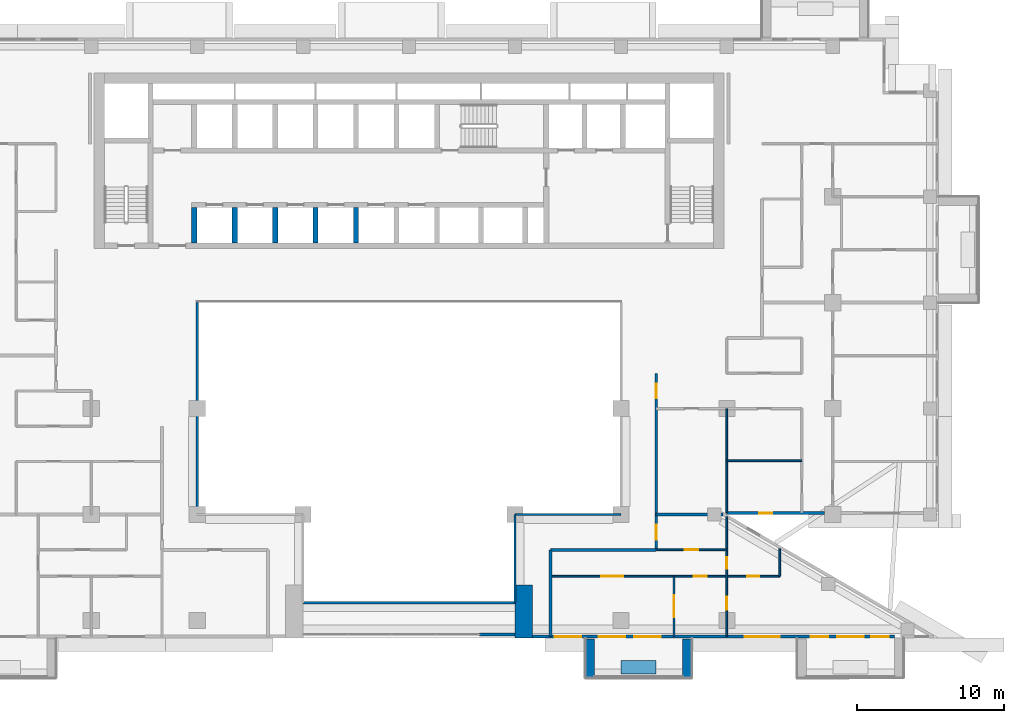
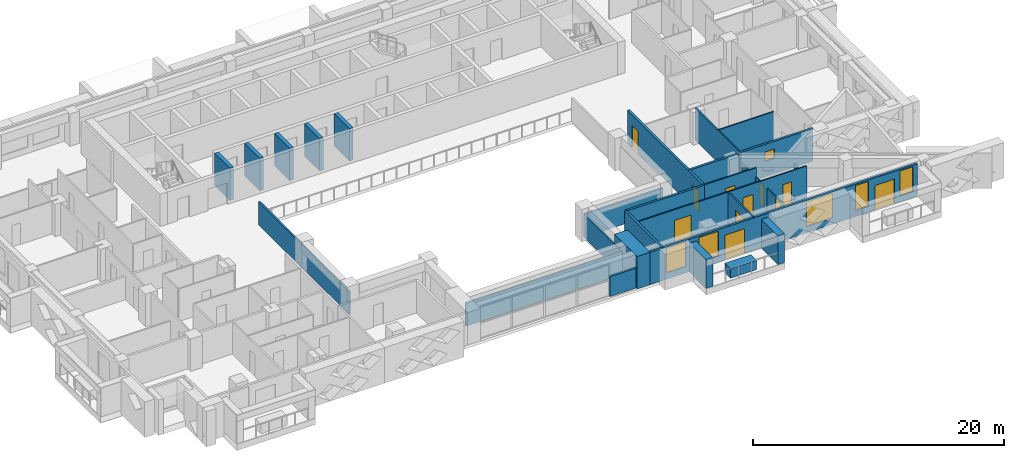
# One storey, part 8 of 19: 27 walls, 11 doors, 6 windows, 17 openings.
"""IFC4 building model written with IfcOpenShell, lengths in metres."""

from ifc_helpers import new_model, si_unit, direction, frame, frame_2d, origin, place, context, subcontext, project, spatial, rectangle, extrude, material, layer, layer_set, type_object, element, fill, save


model = new_model("IFC4")

# Units and contexts
model_context = context("Model", 3, precision=1e-05, world=origin(), true_north=direction((0.0, 1.0)))
body_context = subcontext(model_context, "Body", "Model", "MODEL_VIEW")
ifc_project = project(units=[si_unit("LENGTHUNIT", "METRE"), si_unit("AREAUNIT", "SQUARE_METRE"), si_unit("VOLUMEUNIT", "CUBIC_METRE"), si_unit("PLANEANGLEUNIT", "RADIAN"), si_unit("MASSUNIT", "GRAM", prefix="KILO")], contexts=[model_context])

# Site, building, storey
site_placement = place(None, origin())
site = spatial("IfcSite", under=ifc_project, at=site_placement, CompositionType="ELEMENT")
building_placement = place(site_placement, origin())
building = spatial("IfcBuilding", under=site, at=building_placement, Name="Saffron Iwan Residences", CompositionType="ELEMENT")
storey_placement = place(building_placement, frame((0.0, 0.0, 134.0)))
storey = spatial("IfcBuildingStorey", under=building, at=storey_placement, Name="L35", CompositionType="ELEMENT", Elevation=134.0)

# Walls
ifc_material_1 = material(Name="Fire-rated glazing", Category="glass")
ifc_layer_1 = layer(ifc_material_1, 0.14990234375)
ifc_layer_set_1 = layer_set([ifc_layer_1], Name="Fire-rated glazing")
wall_type_1 = type_object("IfcWallType", Name="Atrium glazed screen 150", PredefinedType="SOLIDWALL", material=ifc_layer_set_1)
wall_1_placement = place(storey_placement, frame((43.199951171875, 42.0, 0.0), z_axis=(0.0, 0.0, 1.0), x_axis=(1.0, 0.0, 0.0)))
element("IfcWall", 1, at=wall_1_placement, inside=storey, type_object=wall_type_1, Name="W-L35-SCREEN-h42-43.2", PredefinedType="SOLIDWALL", context=body_context, shape_type="SweptSolid", body=[
    extrude(rectangle(XDim=14.400146484375, YDim=0.14990234375, at=frame_2d((7.2001953125, 0.0))), origin(), (0.0, 0.0, 1.0), 2.25),
])
wall_2_placement = place(storey_placement, frame((57.60009765625, 48.0, 0.0), z_axis=(0.0, 0.0, 1.0), x_axis=(1.0, 0.0, 0.0)))
element("IfcWall", 2, at=wall_2_placement, inside=storey, type_object=wall_type_1, Name="W-L35-SCREEN-h48-57.6", PredefinedType="SOLIDWALL", context=body_context, shape_type="SweptSolid", body=[
    extrude(rectangle(XDim=7.199951171875, YDim=0.14990234375, at=frame_2d((3.60009765625, 0.0))), origin(), (0.0, 0.0, 1.0), 2.25),
])
wall_3_placement = place(storey_placement, frame((36.0, 48.0, 0.0), z_axis=(0.0, 0.0, 1.0), x_axis=(0.0, 1.0, 0.0)))
element("IfcWall", 3, at=wall_3_placement, inside=storey, type_object=wall_type_1, Name="W-L35-SCREEN-v36-48", PredefinedType="SOLIDWALL", context=body_context, shape_type="SweptSolid", body=[
    extrude(rectangle(XDim=14.39990234375, YDim=0.14990234375, at=frame_2d((7.199951171875, 0.0))), origin(), (0.0, 0.0, 1.0), 2.25),
])
wall_4_placement = place(storey_placement, frame((57.60009765625, 42.0, 0.0), z_axis=(0.0, 0.0, 1.0), x_axis=(0.0, 1.0, 0.0)))
element("IfcWall", 4, at=wall_4_placement, inside=storey, type_object=wall_type_1, Name="W-L35-SCREEN-v57.6-42", PredefinedType="SOLIDWALL", context=body_context, shape_type="SweptSolid", body=[
    extrude(rectangle(XDim=6.0, YDim=0.14990234375, at=frame_2d((3.0, 0.0))), origin(), (0.0, 0.0, 1.0), 2.25),
])
ifc_material_2 = material(Name="Concrete C50/60 white painted", Category="concrete")
ifc_layer_2 = layer(ifc_material_2, 0.60009765625)
ifc_layer_set_2 = layer_set([ifc_layer_2], Name="Concrete C50/60 white painted")
wall_type_2 = type_object("IfcWallType", Name="BALCONY FIN 600", PredefinedType="SOLIDWALL", material=ifc_layer_set_2)
for number, where, z_axis, x_axis, name in (
    (5, (62.699951171875, 39.550048828125, 0.0), (0.0, 0.0, 1.0), (0.0, -1.0, 0.0), "Balcony fin L35 11-2a"),
    (6, (69.300048828125, 39.550048828125, 0.0), (0.0, 0.0, 1.0), (0.0, -1.0, 0.0), "Balcony fin L35 11-2b"),
):
    element("IfcWall", number, at=place(storey_placement, frame(where, z_axis=z_axis, x_axis=x_axis)), inside=storey, type_object=wall_type_2, Name=name, PredefinedType="SOLIDWALL", context=body_context, shape_type="SweptSolid", body=[
        extrude(rectangle(XDim=2.650146484375, YDim=0.60009765625, at=frame_2d((1.3251953125, 0.0))), origin(), (0.0, 0.0, 1.0), 2.800048828125),
    ])
ifc_material_3 = material(Name="Concrete C35/45 white painted", Category="concrete")
ifc_layer_3 = layer(ifc_material_3, 0.14990234375)
ifc_layer_set_3 = layer_set([ifc_layer_3], Name="Concrete C35/45 white painted")
wall_type_3 = type_object("IfcWallType", Name="BALCONY PLANTER", PredefinedType="SOLIDWALL", material=ifc_layer_set_3)
wall_5_placement = place(storey_placement, frame((64.800048828125, 37.625, 0.0), z_axis=(0.0, 0.0, 1.0), x_axis=(1.0, 0.0, 0.0)))
element("IfcWall", 7, at=wall_5_placement, inside=storey, type_object=wall_type_3, Name="PLANTER L35 11-2", PredefinedType="SOLIDWALL", context=body_context, shape_type="SweptSolid", body=[
    extrude(rectangle(XDim=2.39990234375, YDim=0.89990234375, at=frame_2d((1.199951171875, 0.0))), origin(), (0.0, 0.0, 1.0), 0.89990234375),
])

# Wall, opening, window
ifc_material_4 = material(Name="Concrete C40/50", Category="concrete")
ifc_layer_4 = layer(ifc_material_4, 0.199951171875)
ifc_layer_set_4 = layer_set([ifc_layer_4], Name="Concrete C40/50")
wall_type_4 = type_object("IfcWallType", Name="EXTERNAL WALL 200", PredefinedType="SOLIDWALL", material=ifc_layer_set_4)
wall_6_placement = place(storey_placement, frame((71.989990234375, 48.10009765625, 0.0), z_axis=(0.0, 0.0, 1.0), x_axis=(1.0, 0.0, 0.0)))
wall_6 = element("IfcWall", 8, at=wall_6_placement, inside=storey, type_object=wall_type_4, Name="External wall L35 F1.0", PredefinedType="SOLIDWALL", context=body_context, shape_type="SweptSolid", body=[
    extrude(rectangle(XDim=6.659912109375, YDim=0.199951171875, at=frame_2d((3.330078125, 0.0))), origin(), (0.0, 0.0, 1.0), 3.14990234375),
])
opening_1_placement = place(wall_6_placement, frame((2.204833984375, 0.0, 1.5)))
opening_1 = element("IfcOpeningElement", 9, at=opening_1_placement, cuts=wall_6, Name="Opening W6", PredefinedType="OPENING", context=body_context, shape_type="SweptSolid", body=[
    extrude(rectangle(XDim=0.89990234375, YDim=0.89990234375, at=frame_2d((0.449951171875, 0.449951171875))), frame((0.0, 0.10986328125, 0.0), z_axis=(0.0, -1.0, 0.0), x_axis=(1.0, 0.0, 0.0)), (0.0, 0.0, 1.0), 0.219970703125),
])
ifc_material_5 = material(Name="Clear glass, laminated double glazed", Category="glass")
window_type_1 = type_object("IfcWindowType", Name="WINDOW 900 x 900 BATH", PartitioningType="SINGLE_PANEL", PredefinedType="WINDOW", material=ifc_material_5)
window_1_placement = place(opening_1_placement, origin())
window_1 = element("IfcWindow", 10, at=window_1_placement, inside=storey, type_object=window_type_1, Name="Window L35 F1.0", OverallHeight=0.89990234375, OverallWidth=0.89990234375, PartitioningType="SINGLE_PANEL", PredefinedType="WINDOW", context=body_context, shape_type="SweptSolid", body=[
    extrude(rectangle(XDim=0.89990234375, YDim=0.89990234375, at=frame_2d((0.449951171875, 0.449951171875))), frame((0.0, 0.030029296875, 0.0), z_axis=(0.0, -1.0, 0.0), x_axis=(1.0, 0.0, 0.0)), (0.0, 0.0, 1.0), 0.06005859375),
])
fill(opening_1, window_1)

# Wall, openings, doors, windows
wall_7_placement = place(storey_placement, frame((58.800048828125, 39.699951171875, 0.0), z_axis=(0.0, 0.0, 1.0), x_axis=(1.0, 0.0, 0.0)))
wall_7 = element("IfcWall", 11, at=wall_7_placement, inside=storey, type_object=wall_type_4, Name="External wall L35 F11.1", PredefinedType="SOLIDWALL", context=body_context, shape_type="SweptSolid", body=[
    extrude(rectangle(XDim=24.599853515625, YDim=0.199951171875, at=frame_2d((12.2998046875, 0.0))), origin(), (0.0, 0.0, 1.0), 3.14990234375),
])
opening_2_placement = place(wall_7_placement, frame((6.89990234375, 0.0, 0.0)))
opening_2 = element("IfcOpeningElement", 12, at=opening_2_placement, cuts=wall_7, Name="Opening BD1", PredefinedType="OPENING", context=body_context, shape_type="SweptSolid", body=[
    extrude(rectangle(XDim=1.800048828125, YDim=2.39990234375, at=frame_2d((0.89990234375, 1.199951171875))), frame((0.0, 0.10986328125, 0.0), z_axis=(0.0, -1.0, 0.0), x_axis=(1.0, 0.0, 0.0)), (0.0, 0.0, 1.0), 0.219970703125),
])
opening_3_placement = place(wall_7_placement, frame((20.699951171875, 0.0, 0.0)))
opening_3 = element("IfcOpeningElement", 13, at=opening_3_placement, cuts=wall_7, Name="Opening BD1", PredefinedType="OPENING", context=body_context, shape_type="SweptSolid", body=[
    extrude(rectangle(XDim=1.800048828125, YDim=2.39990234375, at=frame_2d((0.89990234375, 1.199951171875))), frame((0.0, 0.10986328125, 0.0), z_axis=(0.0, -1.0, 0.0), x_axis=(1.0, 0.0, 0.0)), (0.0, 0.0, 1.0), 0.219970703125),
])
opening_4_placement = place(wall_7_placement, frame((1.5, 0.0, 0.60009765625)))
opening_4 = element("IfcOpeningElement", 14, at=opening_4_placement, cuts=wall_7, Name="Opening W8", PredefinedType="OPENING", context=body_context, shape_type="SweptSolid", body=[
    extrude(rectangle(XDim=1.800048828125, YDim=2.39990234375, at=frame_2d((0.89990234375, 1.199951171875))), frame((0.0, 0.10986328125, 0.0), z_axis=(0.0, -1.0, 0.0), x_axis=(1.0, 0.0, 0.0)), (0.0, 0.0, 1.0), 0.219970703125),
])
opening_5_placement = place(wall_7_placement, frame((4.5, 0.0, 0.60009765625)))
opening_5 = element("IfcOpeningElement", 15, at=opening_5_placement, cuts=wall_7, Name="Opening W8", PredefinedType="OPENING", context=body_context, shape_type="SweptSolid", body=[
    extrude(rectangle(XDim=1.800048828125, YDim=2.39990234375, at=frame_2d((0.89990234375, 1.199951171875))), frame((0.0, 0.10986328125, 0.0), z_axis=(0.0, -1.0, 0.0), x_axis=(1.0, 0.0, 0.0)), (0.0, 0.0, 1.0), 0.219970703125),
])
opening_6_placement = place(wall_7_placement, frame((14.39990234375, 0.0, 0.60009765625)))
opening_6 = element("IfcOpeningElement", 16, at=opening_6_placement, cuts=wall_7, Name="Opening W1", PredefinedType="OPENING", context=body_context, shape_type="SweptSolid", body=[
    extrude(rectangle(XDim=2.39990234375, YDim=2.39990234375, at=frame_2d((1.199951171875, 1.199951171875))), frame((0.0, 0.10986328125, 0.0), z_axis=(0.0, -1.0, 0.0), x_axis=(1.0, 0.0, 0.0)), (0.0, 0.0, 1.0), 0.219970703125),
])
opening_7_placement = place(wall_7_placement, frame((18.89990234375, 0.0, 0.60009765625)))
opening_7 = element("IfcOpeningElement", 17, at=opening_7_placement, cuts=wall_7, Name="Opening W3", PredefinedType="OPENING", context=body_context, shape_type="SweptSolid", body=[
    extrude(rectangle(XDim=1.199951171875, YDim=2.39990234375, at=frame_2d((0.60009765625, 1.199951171875))), frame((0.0, 0.10986328125, 0.0), z_axis=(0.0, -1.0, 0.0), x_axis=(1.0, 0.0, 0.0)), (0.0, 0.0, 1.0), 0.219970703125),
])
opening_8_placement = place(wall_7_placement, frame((23.0, 0.0, 0.60009765625)))
opening_8 = element("IfcOpeningElement", 18, at=opening_8_placement, cuts=wall_7, Name="Opening W3", PredefinedType="OPENING", context=body_context, shape_type="SweptSolid", body=[
    extrude(rectangle(XDim=1.199951171875, YDim=2.39990234375, at=frame_2d((0.60009765625, 1.199951171875))), frame((0.0, 0.10986328125, 0.0), z_axis=(0.0, -1.0, 0.0), x_axis=(1.0, 0.0, 0.0)), (0.0, 0.0, 1.0), 0.219970703125),
])
door_type_1 = type_object("IfcDoorType", Name="BALCONY DOOR 1800 x 2400", OperationType="DOUBLE_DOOR_SLIDING", PredefinedType="DOOR", material=ifc_material_5)
door_1_placement = place(opening_2_placement, origin())
door_1 = element("IfcDoor", 19, at=door_1_placement, inside=storey, type_object=door_type_1, Name="Balcony door L35 F11.0", OperationType="DOUBLE_DOOR_SLIDING", OverallHeight=2.39990234375, OverallWidth=1.800048828125, PredefinedType="DOOR", context=body_context, shape_type="SweptSolid", body=[
    extrude(rectangle(XDim=1.800048828125, YDim=2.39990234375, at=frame_2d((0.89990234375, 1.199951171875))), frame((0.0, 0.02490234375, 0.0), z_axis=(0.0, -1.0, 0.0), x_axis=(1.0, 0.0, 0.0)), (0.0, 0.0, 1.0), 0.050048828125),
])
fill(opening_2, door_1)
door_2_placement = place(opening_3_placement, origin())
door_2 = element("IfcDoor", 20, at=door_2_placement, inside=storey, type_object=door_type_1, Name="Balcony door L35 F11.1", OperationType="DOUBLE_DOOR_SLIDING", OverallHeight=2.39990234375, OverallWidth=1.800048828125, PredefinedType="DOOR", context=body_context, shape_type="SweptSolid", body=[
    extrude(rectangle(XDim=1.800048828125, YDim=2.39990234375, at=frame_2d((0.89990234375, 1.199951171875))), frame((0.0, 0.02490234375, 0.0), z_axis=(0.0, -1.0, 0.0), x_axis=(1.0, 0.0, 0.0)), (0.0, 0.0, 1.0), 0.050048828125),
])
fill(opening_3, door_2)
window_type_2 = type_object("IfcWindowType", Name="WINDOW 1200 x 2400", PartitioningType="SINGLE_PANEL", PredefinedType="WINDOW", material=ifc_material_5)
window_2_placement = place(opening_7_placement, origin())
window_2 = element("IfcWindow", 21, at=window_2_placement, inside=storey, type_object=window_type_2, Name="Window L35 F11.5", OverallHeight=2.39990234375, OverallWidth=1.199951171875, PartitioningType="SINGLE_PANEL", PredefinedType="WINDOW", context=body_context, shape_type="SweptSolid", body=[
    extrude(rectangle(XDim=1.199951171875, YDim=2.39990234375, at=frame_2d((0.60009765625, 1.199951171875))), frame((0.0, 0.030029296875, 0.0), z_axis=(0.0, -1.0, 0.0), x_axis=(1.0, 0.0, 0.0)), (0.0, 0.0, 1.0), 0.06005859375),
])
fill(opening_7, window_2)
window_3_placement = place(opening_8_placement, origin())
window_3 = element("IfcWindow", 22, at=window_3_placement, inside=storey, type_object=window_type_2, Name="Window L35 F11.6", OverallHeight=2.39990234375, OverallWidth=1.199951171875, PartitioningType="SINGLE_PANEL", PredefinedType="WINDOW", context=body_context, shape_type="SweptSolid", body=[
    extrude(rectangle(XDim=1.199951171875, YDim=2.39990234375, at=frame_2d((0.60009765625, 1.199951171875))), frame((0.0, 0.030029296875, 0.0), z_axis=(0.0, -1.0, 0.0), x_axis=(1.0, 0.0, 0.0)), (0.0, 0.0, 1.0), 0.06005859375),
])
fill(opening_8, window_3)
window_type_3 = type_object("IfcWindowType", Name="WINDOW 1800 x 2400", PartitioningType="DOUBLE_PANEL_VERTICAL", PredefinedType="WINDOW", material=ifc_material_5)
window_4_placement = place(opening_4_placement, origin())
window_4 = element("IfcWindow", 23, at=window_4_placement, inside=storey, type_object=window_type_3, Name="Window L35 F11.2", OverallHeight=2.39990234375, OverallWidth=1.800048828125, PartitioningType="DOUBLE_PANEL_VERTICAL", PredefinedType="WINDOW", context=body_context, shape_type="SweptSolid", body=[
    extrude(rectangle(XDim=1.800048828125, YDim=2.39990234375, at=frame_2d((0.89990234375, 1.199951171875))), frame((0.0, 0.030029296875, 0.0), z_axis=(0.0, -1.0, 0.0), x_axis=(1.0, 0.0, 0.0)), (0.0, 0.0, 1.0), 0.06005859375),
])
fill(opening_4, window_4)
window_5_placement = place(opening_5_placement, origin())
window_5 = element("IfcWindow", 24, at=window_5_placement, inside=storey, type_object=window_type_3, Name="Window L35 F11.3", OverallHeight=2.39990234375, OverallWidth=1.800048828125, PartitioningType="DOUBLE_PANEL_VERTICAL", PredefinedType="WINDOW", context=body_context, shape_type="SweptSolid", body=[
    extrude(rectangle(XDim=1.800048828125, YDim=2.39990234375, at=frame_2d((0.89990234375, 1.199951171875))), frame((0.0, 0.030029296875, 0.0), z_axis=(0.0, -1.0, 0.0), x_axis=(1.0, 0.0, 0.0)), (0.0, 0.0, 1.0), 0.06005859375),
])
fill(opening_5, window_5)
window_type_4 = type_object("IfcWindowType", Name="WINDOW 2400 x 2400", PartitioningType="DOUBLE_PANEL_VERTICAL", PredefinedType="WINDOW", material=ifc_material_5)
window_6_placement = place(opening_6_placement, origin())
window_6 = element("IfcWindow", 25, at=window_6_placement, inside=storey, type_object=window_type_4, Name="Window L35 F11.4", OverallHeight=2.39990234375, OverallWidth=2.39990234375, PartitioningType="DOUBLE_PANEL_VERTICAL", PredefinedType="WINDOW", context=body_context, shape_type="SweptSolid", body=[
    extrude(rectangle(XDim=2.39990234375, YDim=2.39990234375, at=frame_2d((1.199951171875, 1.199951171875))), frame((0.0, 0.030029296875, 0.0), z_axis=(0.0, -1.0, 0.0), x_axis=(1.0, 0.0, 0.0)), (0.0, 0.0, 1.0), 0.06005859375),
])
fill(opening_6, window_6)

# Walls
wall_8_placement = place(storey_placement, frame((55.199951171875, 39.85009765625, 0.0), z_axis=(0.0, 0.0, 1.0), x_axis=(1.0, 0.0, 0.0)))
element("IfcWall", 26, at=wall_8_placement, inside=storey, type_object=wall_type_4, Name="External wall infill CWB-L35-0", PredefinedType="SOLIDWALL", context=body_context, shape_type="SweptSolid", body=[
    extrude(rectangle(XDim=2.400146484375, YDim=0.199951171875, at=frame_2d((1.2001953125, 0.0))), origin(), (0.0, 0.0, 1.0), 1.949951171875),
])
ifc_material_6 = material(Name="Fire-rated gypsum board wall")
ifc_layer_5 = layer(ifc_material_6, 0.199951171875)
ifc_layer_set_5 = layer_set([ifc_layer_5], Name="Fire-rated gypsum board wall")
wall_type_5 = type_object("IfcWallType", Name="Flat demising wall 200", PredefinedType="SOLIDWALL", material=ifc_layer_set_5)
wall_9_placement = place(storey_placement, frame((67.199951171875, 48.0, 0.0), z_axis=(0.0, 0.0, 1.0), x_axis=(1.0, 0.0, 0.0)))
element("IfcWall", 27, at=wall_9_placement, inside=storey, type_object=wall_type_5, Name="W-L35-DEMISE-h48-67.2", PredefinedType="SOLIDWALL", context=body_context, shape_type="SweptSolid", body=[
    extrude(rectangle(XDim=4.552001953125, YDim=0.199951171875, at=frame_2d((2.27587890625, 0.0))), origin(), (0.0, 0.0, 1.0), 3.14990234375),
])

# Wall, openings, doors
ifc_material_7 = material(Name="Gypsum board partition")
ifc_layer_6 = layer(ifc_material_7, 0.1201171875)
ifc_layer_set_6 = layer_set([ifc_layer_6], Name="Gypsum board partition")
wall_type_6 = type_object("IfcWallType", Name="Flat partition 120", PredefinedType="PARTITIONING", material=ifc_layer_set_6)
wall_10_placement = place(storey_placement, frame((60.0, 43.800048828125, 0.0), z_axis=(0.0, 0.0, 1.0), x_axis=(1.0, 0.0, 0.0)))
wall_10 = element("IfcWall", 28, at=wall_10_placement, inside=storey, type_object=wall_type_6, Name="W-L35-PART-h43.8-60", PredefinedType="PARTITIONING", context=body_context, shape_type="SweptSolid", body=[
    extrude(rectangle(XDim=15.60009765625, YDim=0.1201171875, at=frame_2d((7.800048828125, 0.0))), origin(), (0.0, 0.0, 1.0), 3.14990234375),
])
opening_9_placement = place(wall_10_placement, frame((9.75, 0.0, 0.0)))
opening_9 = element("IfcOpeningElement", 29, at=opening_9_placement, cuts=wall_10, Name="Opening FD2", PredefinedType="OPENING", context=body_context, shape_type="SweptSolid", body=[
    extrude(rectangle(XDim=0.89990234375, YDim=2.10009765625, at=frame_2d((0.449951171875, 1.050048828125))), frame((0.0, 0.070068359375, 0.0), z_axis=(0.0, -1.0, 0.0), x_axis=(1.0, 0.0, 0.0)), (0.0, 0.0, 1.0), 0.14013671875),
])
opening_10_placement = place(wall_10_placement, frame((3.449951171875, 0.0, 0.0)))
opening_10 = element("IfcOpeningElement", 30, at=opening_10_placement, cuts=wall_10, Name="Opening FD4", PredefinedType="OPENING", context=body_context, shape_type="SweptSolid", body=[
    extrude(rectangle(XDim=1.5, YDim=2.10009765625, at=frame_2d((0.75, 1.050048828125))), frame((0.0, 0.070068359375, 0.0), z_axis=(0.0, -1.0, 0.0), x_axis=(1.0, 0.0, 0.0)), (0.0, 0.0, 1.0), 0.14013671875),
])
opening_11_placement = place(wall_10_placement, frame((13.39990234375, 0.0, 0.0)))
opening_11 = element("IfcOpeningElement", 31, at=opening_11_placement, cuts=wall_10, Name="Opening FD3", PredefinedType="OPENING", context=body_context, shape_type="SweptSolid", body=[
    extrude(rectangle(XDim=0.800048828125, YDim=2.10009765625, at=frame_2d((0.39990234375, 1.050048828125))), frame((0.0, 0.070068359375, 0.0), z_axis=(0.0, -1.0, 0.0), x_axis=(1.0, 0.0, 0.0)), (0.0, 0.0, 1.0), 0.14013671875),
])
ifc_material_8 = material(Name="Timber door", Category="wood")
door_type_2 = type_object("IfcDoorType", Name="Bathroom door 800", OperationType="NOTDEFINED", PredefinedType="DOOR", material=ifc_material_8)
door_3_placement = place(opening_11_placement, origin())
door_3 = element("IfcDoor", 32, at=door_3_placement, inside=storey, type_object=door_type_2, Name="Door L35-043", OperationType="SINGLE_SWING_LEFT", OverallHeight=2.10009765625, OverallWidth=0.800048828125, PredefinedType="DOOR", context=body_context, shape_type="SweptSolid", body=[
    extrude(rectangle(XDim=0.800048828125, YDim=2.10009765625, at=frame_2d((0.39990234375, 1.050048828125))), frame((0.0, 0.02490234375, 0.0), z_axis=(0.0, -1.0, 0.0), x_axis=(1.0, 0.0, 0.0)), (0.0, 0.0, 1.0), 0.050048828125),
])
fill(opening_11, door_3)
door_type_3 = type_object("IfcDoorType", Name="Double door 1500", OperationType="NOTDEFINED", PredefinedType="DOOR", material=ifc_material_8)
door_4_placement = place(opening_10_placement, origin())
door_4 = element("IfcDoor", 33, at=door_4_placement, inside=storey, type_object=door_type_3, Name="Door L35-040", OperationType="SINGLE_SWING_LEFT", OverallHeight=2.10009765625, OverallWidth=1.5, PredefinedType="DOOR", context=body_context, shape_type="SweptSolid", body=[
    extrude(rectangle(XDim=1.5, YDim=2.10009765625, at=frame_2d((0.75, 1.050048828125))), frame((0.0, 0.02490234375, 0.0), z_axis=(0.0, -1.0, 0.0), x_axis=(1.0, 0.0, 0.0)), (0.0, 0.0, 1.0), 0.050048828125),
])
fill(opening_10, door_4)
door_type_4 = type_object("IfcDoorType", Name="Flat door 900", OperationType="NOTDEFINED", PredefinedType="DOOR", material=ifc_material_8)
door_5_placement = place(opening_9_placement, origin())
door_5 = element("IfcDoor", 34, at=door_5_placement, inside=storey, type_object=door_type_4, Name="Door L35-039", OperationType="SINGLE_SWING_LEFT", OverallHeight=2.10009765625, OverallWidth=0.89990234375, PredefinedType="DOOR", context=body_context, shape_type="SweptSolid", body=[
    extrude(rectangle(XDim=0.89990234375, YDim=2.10009765625, at=frame_2d((0.449951171875, 1.050048828125))), frame((0.0, 0.02490234375, 0.0), z_axis=(0.0, -1.0, 0.0), x_axis=(1.0, 0.0, 0.0)), (0.0, 0.0, 1.0), 0.050048828125),
])
fill(opening_9, door_5)

# Wall, opening, door
wall_11_placement = place(storey_placement, frame((67.199951171875, 45.60009765625, 0.0), z_axis=(0.0, 0.0, 1.0), x_axis=(1.0, 0.0, 0.0)))
wall_11 = element("IfcWall", 35, at=wall_11_placement, inside=storey, type_object=wall_type_6, Name="W-L35-PART-h45.6-67.2", PredefinedType="PARTITIONING", context=body_context, shape_type="SweptSolid", body=[
    extrude(rectangle(XDim=4.800048828125, YDim=0.1201171875, at=frame_2d((2.39990234375, 0.0))), origin(), (0.0, 0.0, 1.0), 3.14990234375),
])
opening_12_placement = place(wall_11_placement, frame((1.949951171875, 0.0, 0.0)))
opening_12 = element("IfcOpeningElement", 36, at=opening_12_placement, cuts=wall_11, Name="Opening FD2", PredefinedType="OPENING", context=body_context, shape_type="SweptSolid", body=[
    extrude(rectangle(XDim=0.89990234375, YDim=2.10009765625, at=frame_2d((0.449951171875, 1.050048828125))), frame((0.0, 0.070068359375, 0.0), z_axis=(0.0, -1.0, 0.0), x_axis=(1.0, 0.0, 0.0)), (0.0, 0.0, 1.0), 0.14013671875),
])
door_6_placement = place(opening_12_placement, origin())
door_6 = element("IfcDoor", 37, at=door_6_placement, inside=storey, type_object=door_type_4, Name="Door L35-037", OperationType="SINGLE_SWING_LEFT", OverallHeight=2.10009765625, OverallWidth=0.89990234375, PredefinedType="DOOR", context=body_context, shape_type="SweptSolid", body=[
    extrude(rectangle(XDim=0.89990234375, YDim=2.10009765625, at=frame_2d((0.449951171875, 1.050048828125))), frame((0.0, 0.02490234375, 0.0), z_axis=(0.0, -1.0, 0.0), x_axis=(1.0, 0.0, 0.0)), (0.0, 0.0, 1.0), 0.050048828125),
])
fill(opening_12, door_6)

# Wall
wall_12_placement = place(storey_placement, frame((72.0, 51.64990234375, 0.0), z_axis=(0.0, 0.0, 1.0), x_axis=(1.0, 0.0, 0.0)))
element("IfcWall", 38, at=wall_12_placement, inside=storey, type_object=wall_type_6, Name="W-L35-PART-h51.65-72", PredefinedType="PARTITIONING", context=body_context, shape_type="SweptSolid", body=[
    extrude(rectangle(XDim=5.10009765625, YDim=0.1201171875, at=frame_2d((2.550048828125, 0.0))), origin(), (0.0, 0.0, 1.0), 3.14990234375),
])

# Wall, opening, door
wall_13_placement = place(storey_placement, frame((68.39990234375, 39.72509765625, 0.0), z_axis=(0.0, 0.0, 1.0), x_axis=(0.0, 1.0, 0.0)))
wall_13 = element("IfcWall", 39, at=wall_13_placement, inside=storey, type_object=wall_type_6, Name="W-L35-PART-v68.4-39.725", PredefinedType="PARTITIONING", context=body_context, shape_type="SweptSolid", body=[
    extrude(rectangle(XDim=4.074951171875, YDim=0.1201171875, at=frame_2d((2.03759765625, 0.0))), origin(), (0.0, 0.0, 1.0), 3.14990234375),
])
opening_13_placement = place(wall_13_placement, frame((1.28759765625, 0.0, 0.0)))
opening_13 = element("IfcOpeningElement", 40, at=opening_13_placement, cuts=wall_13, Name="Opening FD4", PredefinedType="OPENING", context=body_context, shape_type="SweptSolid", body=[
    extrude(rectangle(XDim=1.5, YDim=2.10009765625, at=frame_2d((0.75, 1.050048828125))), frame((0.0, 0.070068359375, 0.0), z_axis=(0.0, -1.0, 0.0), x_axis=(1.0, 0.0, 0.0)), (0.0, 0.0, 1.0), 0.14013671875),
])
door_7_placement = place(opening_13_placement, origin())
door_7 = element("IfcDoor", 41, at=door_7_placement, inside=storey, type_object=door_type_3, Name="Door L35-036", OperationType="SINGLE_SWING_LEFT", OverallHeight=2.10009765625, OverallWidth=1.5, PredefinedType="DOOR", context=body_context, shape_type="SweptSolid", body=[
    extrude(rectangle(XDim=1.5, YDim=2.10009765625, at=frame_2d((0.75, 1.050048828125))), frame((0.0, 0.02490234375, 0.0), z_axis=(0.0, -1.0, 0.0), x_axis=(1.0, 0.0, 0.0)), (0.0, 0.0, 1.0), 0.050048828125),
])
fill(opening_13, door_7)

# Wall, openings, doors
wall_14_placement = place(storey_placement, frame((72.0, 39.72509765625, 0.0), z_axis=(0.0, 0.0, 1.0), x_axis=(0.0, 1.0, 0.0)))
wall_14 = element("IfcWall", 42, at=wall_14_placement, inside=storey, type_object=wall_type_6, Name="W-L35-PART-v72-39.725", PredefinedType="PARTITIONING", context=body_context, shape_type="SweptSolid", body=[
    extrude(rectangle(XDim=8.1298828125, YDim=0.1201171875, at=frame_2d((4.06494140625, 0.0))), origin(), (0.0, 0.0, 1.0), 2.25),
])
opening_14_placement = place(wall_14_placement, frame((1.78759765625, 0.0, 0.0)))
opening_14 = element("IfcOpeningElement", 43, at=opening_14_placement, cuts=wall_14, Name="Opening FD2", PredefinedType="OPENING", context=body_context, shape_type="SweptSolid", body=[
    extrude(rectangle(XDim=0.89990234375, YDim=2.10009765625, at=frame_2d((0.449951171875, 1.050048828125))), frame((0.0, 0.070068359375, 0.0), z_axis=(0.0, -1.0, 0.0), x_axis=(1.0, 0.0, 0.0)), (0.0, 0.0, 1.0), 0.14013671875),
])
opening_15_placement = place(wall_14_placement, frame((4.574951171875, 0.0, 0.0)))
opening_15 = element("IfcOpeningElement", 44, at=opening_15_placement, cuts=wall_14, Name="Opening FD3", PredefinedType="OPENING", context=body_context, shape_type="SweptSolid", body=[
    extrude(rectangle(XDim=0.800048828125, YDim=2.10009765625, at=frame_2d((0.39990234375, 1.050048828125))), frame((0.0, 0.070068359375, 0.0), z_axis=(0.0, -1.0, 0.0), x_axis=(1.0, 0.0, 0.0)), (0.0, 0.0, 1.0), 0.14013671875),
])
door_8_placement = place(opening_15_placement, origin())
door_8 = element("IfcDoor", 45, at=door_8_placement, inside=storey, type_object=door_type_2, Name="Door L35-042", OperationType="SINGLE_SWING_LEFT", OverallHeight=2.10009765625, OverallWidth=0.800048828125, PredefinedType="DOOR", context=body_context, shape_type="SweptSolid", body=[
    extrude(rectangle(XDim=0.800048828125, YDim=2.10009765625, at=frame_2d((0.39990234375, 1.050048828125))), frame((0.0, 0.02490234375, 0.0), z_axis=(0.0, -1.0, 0.0), x_axis=(1.0, 0.0, 0.0)), (0.0, 0.0, 1.0), 0.050048828125),
])
fill(opening_15, door_8)
door_9_placement = place(opening_14_placement, origin())
door_9 = element("IfcDoor", 46, at=door_9_placement, inside=storey, type_object=door_type_4, Name="Door L35-041", OperationType="SINGLE_SWING_LEFT", OverallHeight=2.10009765625, OverallWidth=0.89990234375, PredefinedType="DOOR", context=body_context, shape_type="SweptSolid", body=[
    extrude(rectangle(XDim=0.89990234375, YDim=2.10009765625, at=frame_2d((0.449951171875, 1.050048828125))), frame((0.0, 0.02490234375, 0.0), z_axis=(0.0, -1.0, 0.0), x_axis=(1.0, 0.0, 0.0)), (0.0, 0.0, 1.0), 0.050048828125),
])
fill(opening_14, door_9)

# Walls
wall_15_placement = place(storey_placement, frame((72.0, 48.125, 0.0), z_axis=(0.0, 0.0, 1.0), x_axis=(0.0, 1.0, 0.0)))
element("IfcWall", 47, at=wall_15_placement, inside=storey, type_object=wall_type_6, Name="W-L35-PART-v72-48.125", PredefinedType="PARTITIONING", context=body_context, shape_type="SweptSolid", body=[
    extrude(rectangle(XDim=7.074951171875, YDim=0.1201171875, at=frame_2d((3.53759765625, 0.0))), origin(), (0.0, 0.0, 1.0), 3.14990234375),
])
wall_16_placement = place(storey_placement, frame((75.60009765625, 43.800048828125, 0.0), z_axis=(0.0, 0.0, 1.0), x_axis=(0.0, 1.0, 0.0)))
element("IfcWall", 48, at=wall_16_placement, inside=storey, type_object=wall_type_6, Name="W-L35-PART-v75.6-43.8", PredefinedType="PARTITIONING", context=body_context, shape_type="SweptSolid", body=[
    extrude(rectangle(XDim=1.868408203125, YDim=0.1201171875, at=frame_2d((0.93408203125, 0.0))), origin(), (0.0, 0.0, 1.0), 2.25),
])
ifc_layer_7 = layer(ifc_material_6, 0.199951171875)
ifc_layer_set_7 = layer_set([ifc_layer_7], Name="Fire-rated gypsum board wall")
wall_type_7 = type_object("IfcWallType", Name="Gallery wall 200", PredefinedType="SOLIDWALL", material=ifc_layer_set_7)
wall_17_placement = place(storey_placement, frame((60.0, 45.60009765625, 0.0), z_axis=(0.0, 0.0, 1.0), x_axis=(1.0, 0.0, 0.0)))
element("IfcWall", 49, at=wall_17_placement, inside=storey, type_object=wall_type_7, Name="W-L35-CORR-h45.6-60", PredefinedType="SOLIDWALL", context=body_context, shape_type="SweptSolid", body=[
    extrude(rectangle(XDim=7.199951171875, YDim=0.199951171875, at=frame_2d((3.60009765625, 0.0))), origin(), (0.0, 0.0, 1.0), 3.14990234375),
])
wall_18_placement = place(storey_placement, frame((60.0, 39.72509765625, 0.0), z_axis=(0.0, 0.0, 1.0), x_axis=(0.0, 1.0, 0.0)))
element("IfcWall", 50, at=wall_18_placement, inside=storey, type_object=wall_type_7, Name="W-L35-CORR-v60-39.725", PredefinedType="SOLIDWALL", context=body_context, shape_type="SweptSolid", body=[
    extrude(rectangle(XDim=5.875, YDim=0.199951171875, at=frame_2d((2.9375, 0.0))), origin(), (0.0, 0.0, 1.0), 3.14990234375),
])

# Wall, openings, doors
wall_19_placement = place(storey_placement, frame((67.199951171875, 45.60009765625, 0.0), z_axis=(0.0, 0.0, 1.0), x_axis=(0.0, 1.0, 0.0)))
wall_19 = element("IfcWall", 51, at=wall_19_placement, inside=storey, type_object=wall_type_7, Name="W-L35-CORR-v67.2-45.6", PredefinedType="SOLIDWALL", context=body_context, shape_type="SweptSolid", body=[
    extrude(rectangle(XDim=12.0, YDim=0.199951171875, at=frame_2d((6.0, 0.0))), origin(), (0.0, 0.0, 1.0), 3.14990234375),
])
opening_16_placement = place(wall_19_placement, frame((10.300048828125, 0.0, 0.0)))
opening_16 = element("IfcOpeningElement", 52, at=opening_16_placement, cuts=wall_19, Name="Opening FD1", PredefinedType="OPENING", context=body_context, shape_type="SweptSolid", body=[
    extrude(rectangle(XDim=1.0, YDim=2.10009765625, at=frame_2d((0.5, 1.050048828125))), frame((0.0, 0.10986328125, 0.0), z_axis=(0.0, -1.0, 0.0), x_axis=(1.0, 0.0, 0.0)), (0.0, 0.0, 1.0), 0.219970703125),
])
opening_17_placement = place(wall_19_placement, frame((0.699951171875, 0.0, 0.0)))
opening_17 = element("IfcOpeningElement", 53, at=opening_17_placement, cuts=wall_19, Name="Opening FD5", PredefinedType="OPENING", context=body_context, shape_type="SweptSolid", body=[
    extrude(rectangle(XDim=1.0, YDim=2.10009765625, at=frame_2d((0.5, 1.050048828125))), frame((0.0, 0.10986328125, 0.0), z_axis=(0.0, -1.0, 0.0), x_axis=(1.0, 0.0, 0.0)), (0.0, 0.0, 1.0), 0.219970703125),
])
ifc_material_9 = material(Name="Fire-rated timber door", Category="wood")
door_type_5 = type_object("IfcDoorType", Name="FD30S flat entrance door 1000", OperationType="NOTDEFINED", PredefinedType="DOOR", material=ifc_material_9)
door_10_placement = place(opening_16_placement, origin())
door_10 = element("IfcDoor", 54, at=door_10_placement, inside=storey, type_object=door_type_5, Name="Door L35-013", OperationType="SINGLE_SWING_LEFT", OverallHeight=2.10009765625, OverallWidth=1.0, PredefinedType="DOOR", context=body_context, shape_type="SweptSolid", body=[
    extrude(rectangle(XDim=1.0, YDim=2.10009765625, at=frame_2d((0.5, 1.050048828125))), frame((0.0, 0.02490234375, 0.0), z_axis=(0.0, -1.0, 0.0), x_axis=(1.0, 0.0, 0.0)), (0.0, 0.0, 1.0), 0.050048828125),
])
fill(opening_16, door_10)
door_type_6 = type_object("IfcDoorType", Name="Lobby door 1000", OperationType="NOTDEFINED", PredefinedType="DOOR", material=ifc_material_9)
door_11_placement = place(opening_17_placement, origin())
door_11 = element("IfcDoor", 55, at=door_11_placement, inside=storey, type_object=door_type_6, Name="Door L35-038", OperationType="SINGLE_SWING_RIGHT", OverallHeight=2.10009765625, OverallWidth=1.0, PredefinedType="DOOR", context=body_context, shape_type="SweptSolid", body=[
    extrude(rectangle(XDim=1.0, YDim=2.10009765625, at=frame_2d((0.5, 1.050048828125))), frame((0.0, 0.02490234375, 0.0), z_axis=(0.0, -1.0, 0.0), x_axis=(1.0, 0.0, 0.0)), (0.0, 0.0, 1.0), 0.050048828125),
])
fill(opening_17, door_11)

# Walls
ifc_material_10 = material(Name="Concrete C50/60", Category="concrete")
ifc_layer_8 = layer(ifc_material_10, 0.35009765625)
ifc_layer_set_8 = layer_set([ifc_layer_8], Name="Concrete C50/60")
wall_type_8 = type_object("IfcWallType", Name="WALL CORE 350 C50/60 3150 HIGH", PredefinedType="SHEAR", material=ifc_layer_set_8)
for number, where, z_axis, x_axis, name in (
    (56, (35.800048828125, 66.449951171875, 0.0), (0.0, 0.0, 1.0), (0.0, 1.0, 0.0), "Core wall"),
    (57, (38.550048828125, 66.449951171875, 0.0), (0.0, 0.0, 1.0), (0.0, 1.0, 0.0), "Core wall"),
    (58, (41.300048828125, 66.449951171875, 0.0), (0.0, 0.0, 1.0), (0.0, 1.0, 0.0), "Core wall"),
    (59, (44.050048828125, 66.449951171875, 0.0), (0.0, 0.0, 1.0), (0.0, 1.0, 0.0), "Core wall"),
    (60, (46.800048828125, 66.449951171875, 0.0), (0.0, 0.0, 1.0), (0.0, 1.0, 0.0), "Core wall"),
):
    element("IfcWall", number, at=place(storey_placement, frame(where, z_axis=z_axis, x_axis=x_axis)), inside=storey, type_object=wall_type_8, Name=name, PredefinedType="SHEAR", context=body_context, shape_type="SweptSolid", body=[
        extrude(rectangle(XDim=2.425048828125, YDim=0.35009765625, at=frame_2d((1.21240234375, 0.0))), origin(), (0.0, 0.0, 1.0), 3.14990234375),
    ])
ifc_layer_9 = layer(ifc_material_10, 1.199951171875)
ifc_layer_set_9 = layer_set([ifc_layer_9], Name="Concrete C50/60")
wall_type_9 = type_object("IfcWallType", Name="WALL IWAN PIER 1200 C50/60 3150 HIGH", PredefinedType="SHEAR", material=ifc_layer_set_9)
wall_20_placement = place(storey_placement, frame((58.199951171875, 39.60009765625, 0.0), z_axis=(0.0, 0.0, 1.0), x_axis=(0.0, 1.0, 0.0)))
element("IfcWall", 61, at=wall_20_placement, inside=storey, type_object=wall_type_9, Name="IWAN PIER", PredefinedType="SHEAR", context=body_context, shape_type="SweptSolid", body=[
    extrude(rectangle(XDim=3.599853515625, YDim=1.199951171875, at=frame_2d((1.7998046875, 0.0))), origin(), (0.0, 0.0, 1.0), 3.14990234375),
])

save(model, "model.ifc")
